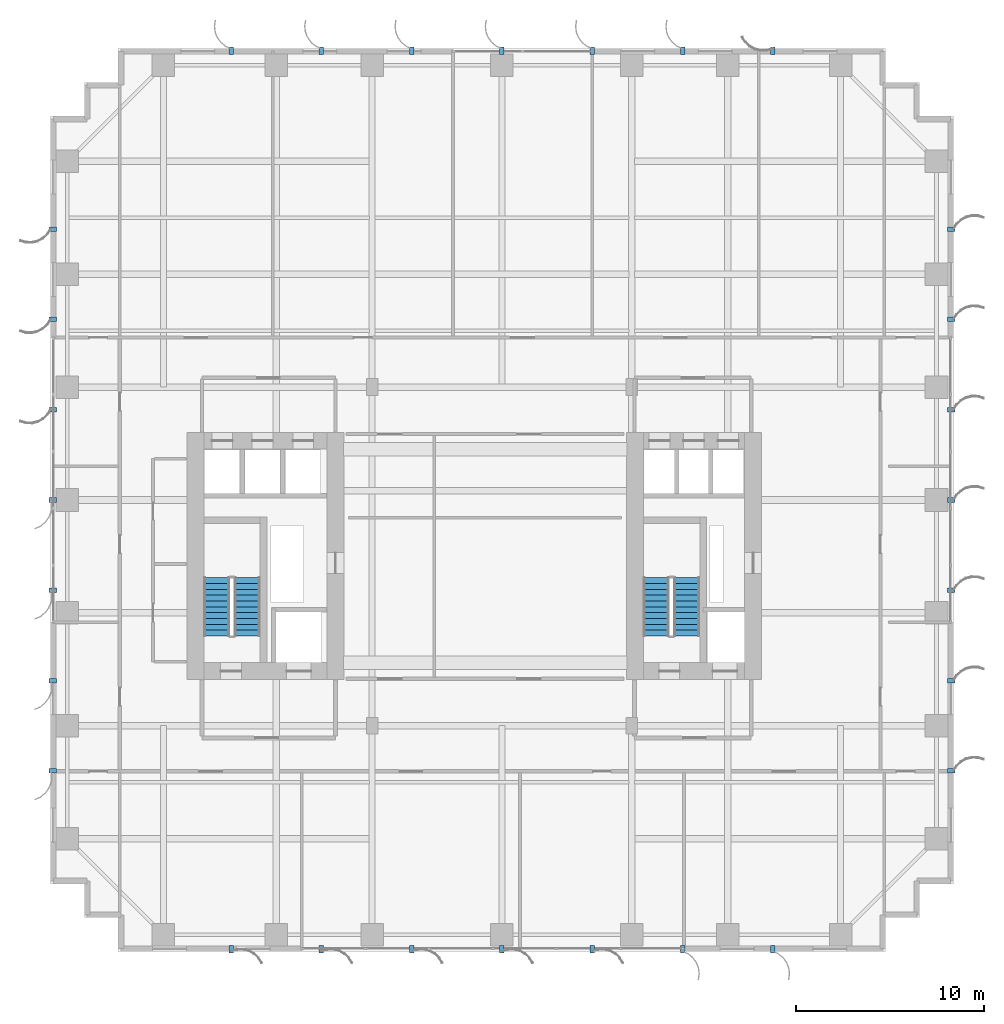
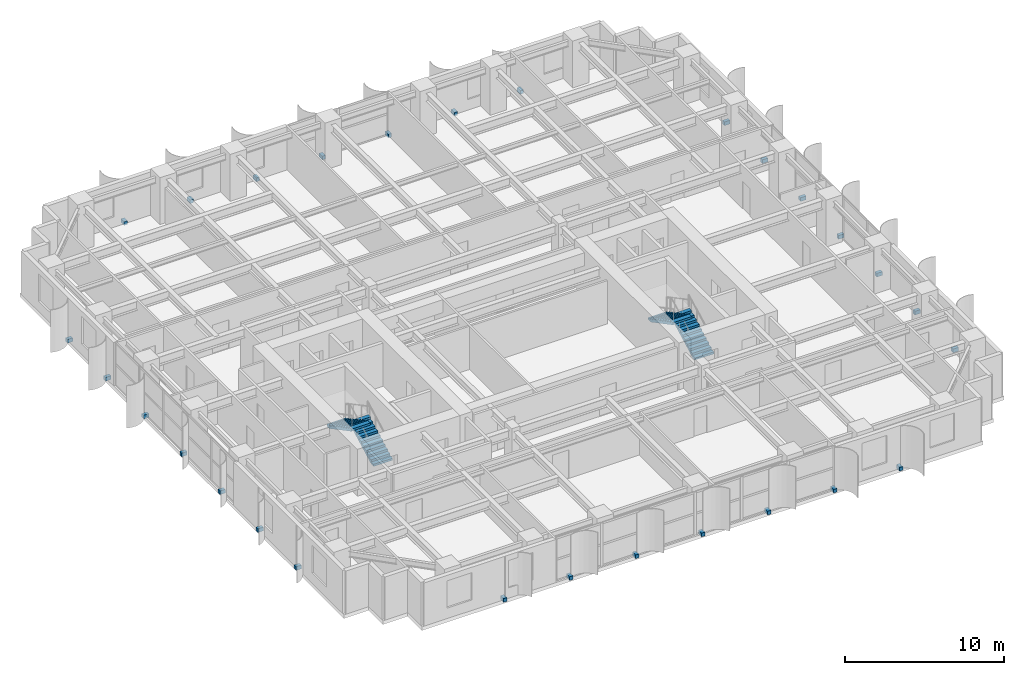
# One storey, part 21 of 25: 28 discrete accessories, 4 stair flights, 2 elements without a shape of their own.
"""IFC4 building model written with IfcOpenShell, lengths in metres."""

from ifc_helpers import new_model, si_unit, direction, frame, origin, origin_2d, place, context, subcontext, project, spatial, polyline, rectangle, outline, extrude, source, transform, mapped, material, type_object, element, aggregate, save


model = new_model("IFC4")

# Units and contexts
model_context = context("Model", 3, precision=1e-05, world=origin(), true_north=direction((0.0, 1.0)))
body_context = subcontext(model_context, "Body", "Model", "MODEL_VIEW")
ifc_project = project(units=[si_unit("LENGTHUNIT", "METRE"), si_unit("AREAUNIT", "SQUARE_METRE"), si_unit("VOLUMEUNIT", "CUBIC_METRE"), si_unit("PLANEANGLEUNIT", "RADIAN"), si_unit("MASSUNIT", "GRAM", prefix="KILO")], contexts=[model_context])

# Site, building, storey
site_placement = place(None, origin())
site = spatial("IfcSite", under=ifc_project, at=site_placement, CompositionType="ELEMENT")
building_placement = place(site_placement, origin())
building = spatial("IfcBuilding", under=site, at=building_placement, Name="Khoralis Quay Care Tower", CompositionType="ELEMENT")
storey_placement = place(building_placement, frame((0.0, 0.0, 51.300048828125)))
storey = spatial("IfcBuildingStorey", under=building, at=storey_placement, Name="L13", CompositionType="ELEMENT", Elevation=51.300048828125)

# Stair, stair flights
ifc_material_1 = material(Name="Precast concrete C45/55", Category="concrete")
stair_type = type_object("IfcStairType", Name="ST-TWR-DOGLEG-1400", PredefinedType="HALF_TURN_STAIR", material=ifc_material_1)
stair_1_placement = place(storey_placement, origin())
stair_1 = element("IfcStair", 1, at=stair_1_placement, inside=storey, type_object=stair_type, Name="L13 West Core Exit Stair ST-T1", PredefinedType="HALF_TURN_STAIR")
stair_flight_type = type_object("IfcStairFlightType", Name="SF-TWR-1400", PredefinedType="STRAIGHT", material=ifc_material_1)
shared_shape_1 = source(origin(), body_context, "Body", "SweptSolid", [
    extrude(outline(polyline([(0.0, 0.0), (0.0, 0.16357421875), (0.31005859375, 0.16357421875), (0.31005859375, 0.327392578125), (0.6201171875, 0.327392578125), (0.6201171875, 0.490966796875), (0.929931640625, 0.490966796875), (0.929931640625, 0.654541015625), (1.239990234375, 0.654541015625), (1.239990234375, 0.818115234375), (1.550048828125, 0.818115234375), (1.550048828125, 0.98193359375), (1.860107421875, 0.98193359375), (1.860107421875, 1.1455078125), (2.169921875, 1.1455078125), (2.169921875, 1.30908203125), (2.47998046875, 1.30908203125), (2.47998046875, 1.47265625), (2.7900390625, 1.47265625), (2.7900390625, 1.636474609375), (3.10009765625, 1.636474609375), (3.10009765625, 1.800048828125), (3.10009765625, 1.466796875), (0.321044921875, 0.0), (0.0, 0.0)])), frame((0.0, 0.68994140625, 0.0), z_axis=(0.0, -1.0, 0.0), x_axis=(1.0, 0.0, 0.0)), (0.0, 0.0, 1.0), 1.3798828125),
])
stair_flight_1_placement = place(storey_placement, frame((10.4599609375, 16.77001953125, 0.0), z_axis=(0.0, 0.0, 1.0), x_axis=(0.0, 1.0, 0.0)))
stair_flight_1 = element("IfcStairFlight", 2, at=stair_flight_1_placement, type_object=stair_flight_type, Name="ST-T1 flight 1", NumberOfRisers=11, NumberOfTreads=10, PredefinedType="STRAIGHT", RiserHeight=0.163636364, TreadLength=0.31, context=body_context, shape_type="MappedRepresentation", body=[
    mapped(shared_shape_1, transform((0.0, 0.0, 0.0), scale=1.0)),
])
stair_flight_2_placement = place(storey_placement, frame((8.840087890625, 19.8701171875, 1.800048828125), z_axis=(0.0, 0.0, 1.0), x_axis=(0.0, -1.0, 0.0)))
stair_flight_2 = element("IfcStairFlight", 3, at=stair_flight_2_placement, type_object=stair_flight_type, Name="ST-T1 flight 2", NumberOfRisers=11, NumberOfTreads=10, PredefinedType="STRAIGHT", RiserHeight=0.163636364, TreadLength=0.31, context=body_context, shape_type="MappedRepresentation", body=[
    mapped(shared_shape_1, transform((0.0, 0.0, 0.0), scale=1.0)),
])
aggregate(stair_1, [stair_flight_1, stair_flight_2])

stair_2_placement = place(storey_placement, origin())
stair_2 = element("IfcStair", 4, at=stair_2_placement, inside=storey, type_object=stair_type, Name="L13 East Core Exit Stair ST-T2", PredefinedType="HALF_TURN_STAIR")
stair_flight_3_placement = place(storey_placement, frame((33.830078125, 16.77001953125, 0.0), z_axis=(0.0, 0.0, 1.0), x_axis=(0.0, 1.0, 0.0)))
stair_flight_3 = element("IfcStairFlight", 5, at=stair_flight_3_placement, type_object=stair_flight_type, Name="ST-T2 flight 1", NumberOfRisers=11, NumberOfTreads=10, PredefinedType="STRAIGHT", RiserHeight=0.163636364, TreadLength=0.31, context=body_context, shape_type="MappedRepresentation", body=[
    mapped(shared_shape_1, transform((0.0, 0.0, 0.0), scale=1.0)),
])
stair_flight_4_placement = place(storey_placement, frame((32.2099609375, 19.8701171875, 1.800048828125), z_axis=(0.0, 0.0, 1.0), x_axis=(0.0, -1.0, 0.0)))
stair_flight_4 = element("IfcStairFlight", 6, at=stair_flight_4_placement, type_object=stair_flight_type, Name="ST-T2 flight 2", NumberOfRisers=11, NumberOfTreads=10, PredefinedType="STRAIGHT", RiserHeight=0.163636364, TreadLength=0.31, context=body_context, shape_type="MappedRepresentation", body=[
    mapped(shared_shape_1, transform((0.0, 0.0, 0.0), scale=1.0)),
])
aggregate(stair_2, [stair_flight_3, stair_flight_4])

# Discrete accessories
ifc_material_2 = material(Name="Brushed stainless steel", Category="steel")
discrete_accessory_type = type_object("IfcDiscreteAccessoryType", Name="ACC-FIN-BRACKET", PredefinedType="BRACKET", material=ifc_material_2)
shared_shape_2 = source(origin(), body_context, "Body", "SweptSolid", [
    extrude(rectangle(XDim=0.39990234375, YDim=0.239990234375, at=origin_2d()), origin(), (0.0, 0.0, 1.0), 0.280029296875),
])
for number, where, z_axis, x_axis, name in (
    (7, (9.60009765625, 0.110107421875, -0.1201171875), (0.0, 0.0, 1.0), (0.0, -1.0, 0.0), "L13 Solar Fin Bracket P1E0-01"),
    (8, (14.39990234375, 0.110107421875, -0.1201171875), (0.0, 0.0, 1.0), (0.0, -1.0, 0.0), "L13 Solar Fin Bracket P1E0-02"),
    (9, (19.199951171875, 0.110107421875, -0.1201171875), (0.0, 0.0, 1.0), (0.0, -1.0, 0.0), "L13 Solar Fin Bracket P1E0-03"),
    (10, (24.0, 0.110107421875, -0.1201171875), (0.0, 0.0, 1.0), (0.0, -1.0, 0.0), "L13 Solar Fin Bracket P1E0-04"),
    (11, (28.800048828125, 0.110107421875, -0.1201171875), (0.0, 0.0, 1.0), (0.0, -1.0, 0.0), "L13 Solar Fin Bracket P1E0-05"),
    (12, (33.60009765625, 0.110107421875, -0.1201171875), (0.0, 0.0, 1.0), (0.0, -1.0, 0.0), "L13 Solar Fin Bracket P1E0-06"),
    (13, (38.39990234375, 0.110107421875, -0.1201171875), (0.0, 0.0, 1.0), (0.0, -1.0, 0.0), "L13 Solar Fin Bracket P1E0-07"),
    (14, (47.889892578125, 9.60009765625, -0.1201171875), (0.0, 0.0, 1.0), (1.0, 0.0, 0.0), "L13 Solar Fin Bracket P1E5-01"),
    (15, (47.889892578125, 14.39990234375, -0.1201171875), (0.0, 0.0, 1.0), (1.0, 0.0, 0.0), "L13 Solar Fin Bracket P1E5-02"),
    (16, (47.889892578125, 19.199951171875, -0.1201171875), (0.0, 0.0, 1.0), (1.0, 0.0, 0.0), "L13 Solar Fin Bracket P1E5-03"),
    (17, (47.889892578125, 24.0, -0.1201171875), (0.0, 0.0, 1.0), (1.0, 0.0, 0.0), "L13 Solar Fin Bracket P1E5-04"),
    (18, (47.889892578125, 28.800048828125, -0.1201171875), (0.0, 0.0, 1.0), (1.0, 0.0, 0.0), "L13 Solar Fin Bracket P1E5-05"),
    (19, (47.889892578125, 33.60009765625, -0.1201171875), (0.0, 0.0, 1.0), (1.0, 0.0, 0.0), "L13 Solar Fin Bracket P1E5-06"),
    (20, (47.889892578125, 38.39990234375, -0.1201171875), (0.0, 0.0, 1.0), (1.0, 0.0, 0.0), "L13 Solar Fin Bracket P1E5-07"),
    (21, (38.39990234375, 47.889892578125, -0.1201171875), (0.0, 0.0, 1.0), (0.0, 1.0, 0.0), "L13 Solar Fin Bracket P1E10-01"),
    (22, (33.60009765625, 47.889892578125, -0.1201171875), (0.0, 0.0, 1.0), (0.0, 1.0, 0.0), "L13 Solar Fin Bracket P1E10-02"),
    (23, (28.800048828125, 47.889892578125, -0.1201171875), (0.0, 0.0, 1.0), (0.0, 1.0, 0.0), "L13 Solar Fin Bracket P1E10-03"),
    (24, (24.0, 47.889892578125, -0.1201171875), (0.0, 0.0, 1.0), (0.0, 1.0, 0.0), "L13 Solar Fin Bracket P1E10-04"),
    (25, (19.199951171875, 47.889892578125, -0.1201171875), (0.0, 0.0, 1.0), (0.0, 1.0, 0.0), "L13 Solar Fin Bracket P1E10-05"),
    (26, (14.39990234375, 47.889892578125, -0.1201171875), (0.0, 0.0, 1.0), (0.0, 1.0, 0.0), "L13 Solar Fin Bracket P1E10-06"),
    (27, (9.60009765625, 47.889892578125, -0.1201171875), (0.0, 0.0, 1.0), (0.0, 1.0, 0.0), "L13 Solar Fin Bracket P1E10-07"),
    (28, (0.110107421875, 38.39990234375, -0.1201171875), (0.0, 0.0, 1.0), (-1.0, 0.0, 0.0), "L13 Solar Fin Bracket P1E15-01"),
    (29, (0.110107421875, 33.60009765625, -0.1201171875), (0.0, 0.0, 1.0), (-1.0, 0.0, 0.0), "L13 Solar Fin Bracket P1E15-02"),
    (30, (0.110107421875, 28.800048828125, -0.1201171875), (0.0, 0.0, 1.0), (-1.0, 0.0, 0.0), "L13 Solar Fin Bracket P1E15-03"),
    (31, (0.110107421875, 24.0, -0.1201171875), (0.0, 0.0, 1.0), (-1.0, 0.0, 0.0), "L13 Solar Fin Bracket P1E15-04"),
    (32, (0.110107421875, 19.199951171875, -0.1201171875), (0.0, 0.0, 1.0), (-1.0, 0.0, 0.0), "L13 Solar Fin Bracket P1E15-05"),
    (33, (0.110107421875, 14.39990234375, -0.1201171875), (0.0, 0.0, 1.0), (-1.0, 0.0, 0.0), "L13 Solar Fin Bracket P1E15-06"),
    (34, (0.110107421875, 9.60009765625, -0.1201171875), (0.0, 0.0, 1.0), (-1.0, 0.0, 0.0), "L13 Solar Fin Bracket P1E15-07"),
):
    element("IfcDiscreteAccessory", number, at=place(storey_placement, frame(where, z_axis=z_axis, x_axis=x_axis)), inside=storey, type_object=discrete_accessory_type, Name=name, PredefinedType="BRACKET", context=body_context, shape_type="MappedRepresentation", body=[
        mapped(shared_shape_2, transform((0.0, 0.0, 0.0), scale=1.0)),
    ])

save(model, "model.ifc")
